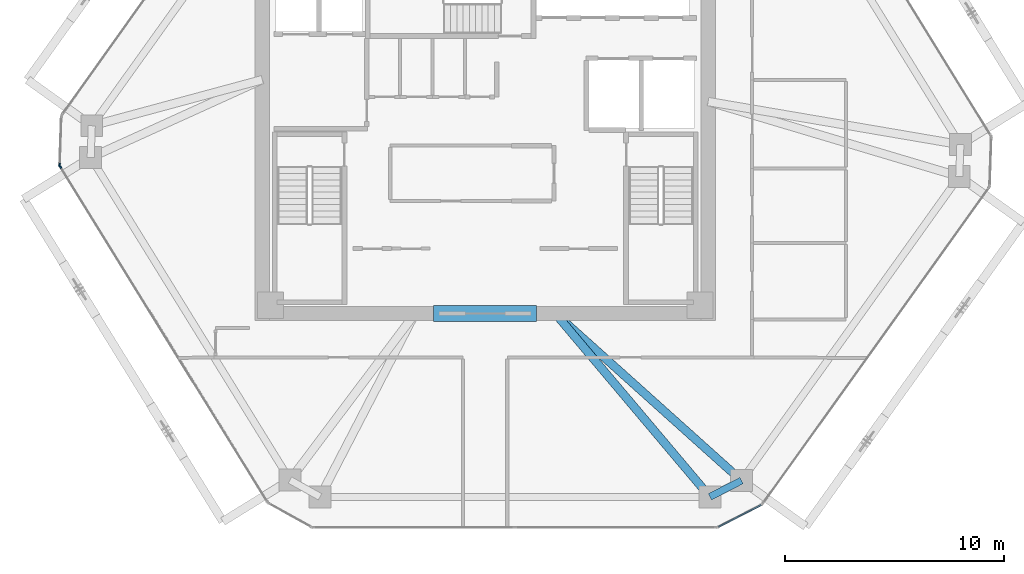
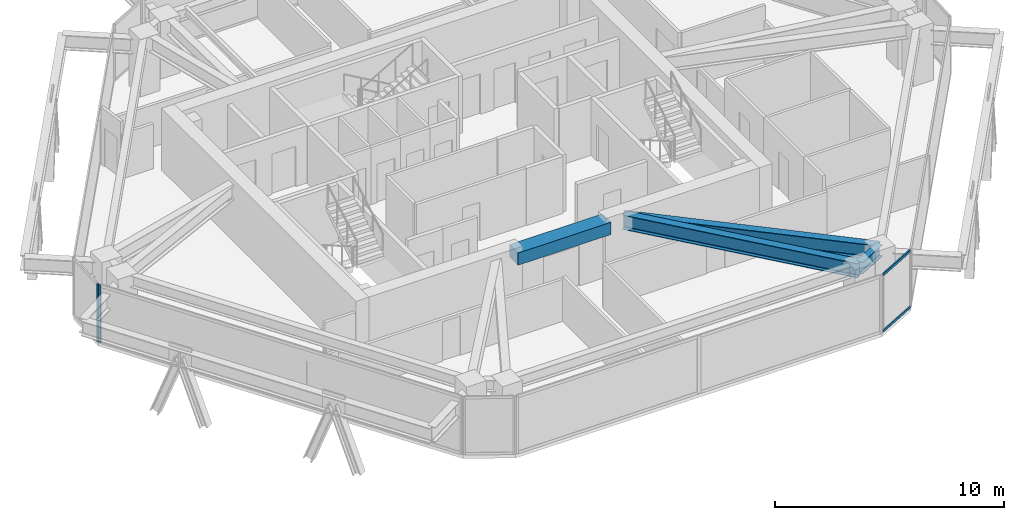
# One storey, part 3 of 13: 4 beams, 4 members, 3 elements without a shape of their own.
"""IFC4 building model written with IfcOpenShell, lengths in metres."""

from ifc_helpers import new_model, si_unit, direction, frame, origin, origin_2d, place, context, subcontext, project, spatial, rectangle, i_section, extrude, source, transform, mapped, material, layer, layer_set, material_profile, profile_set, type_object, type_shapes, element, aggregate, save


model = new_model("IFC4")

# Units and contexts
model_context = context("Model", 3, precision=1e-05, world=origin(), true_north=direction((0.0, 1.0)))
body_context = subcontext(model_context, "Body", "Model", "MODEL_VIEW")
ifc_project = project(units=[si_unit("LENGTHUNIT", "METRE"), si_unit("AREAUNIT", "SQUARE_METRE"), si_unit("VOLUMEUNIT", "CUBIC_METRE"), si_unit("PLANEANGLEUNIT", "RADIAN"), si_unit("MASSUNIT", "GRAM", prefix="KILO")], contexts=[model_context])

# Site, building, storey
site_placement = place(None, origin())
site = spatial("IfcSite", under=ifc_project, at=site_placement, CompositionType="ELEMENT")
building_placement = place(site_placement, origin())
building = spatial("IfcBuilding", under=site, at=building_placement, Name="Durnholm Broadcast Tower", CompositionType="ELEMENT")
storey_placement = place(building_placement, frame((0.0, 0.0, 167.199951171875)))
storey = spatial("IfcBuildingStorey", under=building, at=storey_placement, Name="L45", CompositionType="ELEMENT", Elevation=167.199951171875)

# Beams
ifc_material_1 = material(Name="Concrete C70/85", Category="concrete")
ifc_material_profile_1 = material_profile(ifc_material_1, rectangle(XDim=0.75, YDim=0.64990234375, at=origin_2d()), Name="RC750X650")
ifc_profile_set_1 = profile_set([ifc_material_profile_1], Name="Concrete C70/85")
beam_type_1 = type_object("IfcBeamType", Name="BM-CB-RC650", PredefinedType="LINTEL", material=ifc_profile_set_1)
shared_shape_1 = source(origin(), body_context, "Body", "SweptSolid", [
    extrude(rectangle(XDim=0.75, YDim=0.64990234375, at=origin_2d()), origin(), (0.0, 0.0, 1.0), 4.7001953125),
])
type_shapes(beam_type_1, [shared_shape_1])
beam_1_placement = place(storey_placement, frame((-2.35009765625, -8.175048828125, 2.72998046875), z_axis=(1.0, 0.0, 0.0), x_axis=(0.0, 1.0, 0.0)))
element("IfcBeam", 1, at=beam_1_placement, inside=storey, type_object=beam_type_1, Name="L45 south core coupling lintel beam CB-S", PredefinedType="LINTEL", context=body_context, shape_type="MappedRepresentation", body=[
    mapped(shared_shape_1, transform((0.0, 0.0, 0.0), x_axis=(1.0, 0.0, 0.0), y_axis=(0.0, 1.0, 0.0), z_axis=(0.0, 0.0, 1.0), scale=1.0)),
])
ifc_material_2 = material(Name="Steel ASTM A992 Grade 50", Category="steel")
ifc_material_profile_2 = material_profile(ifc_material_2, i_section(OverallWidth=0.3251953125, OverallDepth=0.6162109375, WebThickness=0.013916015625, FlangeThickness=0.021484375, FilletRadius=0.02783203125, at=origin_2d()), Name="W24X117")
ifc_profile_set_2 = profile_set([ifc_material_profile_2], Name="Steel ASTM A992 Grade 50")
beam_type_2 = type_object("IfcBeamType", Name="STL-SP-W24X117", PredefinedType="SPANDREL", material=ifc_profile_set_2)
shared_shape_2 = source(origin(), body_context, "Body", "SweptSolid", [
    extrude(i_section(OverallWidth=0.3251953125, OverallDepth=0.6162109375, WebThickness=0.013916015625, FlangeThickness=0.021484375, FilletRadius=0.02783203125, at=origin_2d()), origin(), (0.0, 0.0, 1.0), 1.62255859375),
])
type_shapes(beam_type_2, [shared_shape_2])
beam_2_placement = place(storey_placement, frame((11.69970703125, -15.80029296875, 2.737060546875), z_axis=(-0.889406668864, -0.45711680934, 0.0), x_axis=(0.45711680934, -0.889406668864, 0.0)))
element("IfcBeam", 2, at=beam_2_placement, inside=storey, type_object=beam_type_2, Name="L45 perimeter spandrel girder 10", PredefinedType="SPANDREL", context=body_context, shape_type="MappedRepresentation", body=[
    mapped(shared_shape_2, transform((0.0, 0.0, 0.0), x_axis=(1.0, 0.0, 0.0), y_axis=(0.0, 1.0, 0.0), z_axis=(0.0, 0.0, 1.0), scale=1.0)),
])
ifc_material_profile_3 = material_profile(ifc_material_2, i_section(OverallWidth=0.380615234375, OverallDepth=0.773193359375, WebThickness=0.0166015625, FlangeThickness=0.027099609375, FilletRadius=0.032958984375, at=origin_2d()), Name="W30X173")
ifc_profile_set_3 = profile_set([ifc_material_profile_3], Name="Steel ASTM A992 Grade 50")
beam_type_3 = type_object("IfcBeamType", Name="STL-GR-W30X173", PredefinedType="USERDEFINED", material=ifc_profile_set_3)
shared_shape_3 = source(origin(), body_context, "Body", "SweptSolid", [
    extrude(i_section(OverallWidth=0.380615234375, OverallDepth=0.773193359375, WebThickness=0.0166015625, FlangeThickness=0.027099609375, FilletRadius=0.032958984375, at=origin_2d()), origin(), (0.0, 0.0, 1.0), 11.4189453125),
])
beam_3_placement = place(storey_placement, frame((3.199951171875, -8.175048828125, 2.658447265625), z_axis=(0.744361631918, -0.667776729849, 0.0), x_axis=(0.667776729849, 0.744361631918, 0.0)))
element("IfcBeam", 3, at=beam_3_placement, inside=storey, type_object=beam_type_3, Name="L45 radial primary floor girder 10", ObjectType="GIRDER", PredefinedType="USERDEFINED", context=body_context, shape_type="MappedRepresentation", body=[
    mapped(shared_shape_3, transform((0.0, 0.0, 0.0), x_axis=(1.0, 0.0, 0.0), y_axis=(0.0, 1.0, 0.0), z_axis=(0.0, 0.0, 1.0), scale=1.0)),
])
shared_shape_4 = source(origin(), body_context, "Body", "SweptSolid", [
    extrude(i_section(OverallWidth=0.380615234375, OverallDepth=0.773193359375, WebThickness=0.0166015625, FlangeThickness=0.027099609375, FilletRadius=0.032958984375, at=origin_2d()), origin(), (0.0, 0.0, 1.0), 10.9453125),
])
type_shapes(beam_type_3, [shared_shape_3, shared_shape_4])
beam_4_placement = place(storey_placement, frame((3.199951171875, -8.175048828125, 2.658447265625), z_axis=(0.644712536066, -0.764425108065, 0.0), x_axis=(0.764425108065, 0.644712536066, 0.0)))
element("IfcBeam", 4, at=beam_4_placement, inside=storey, type_object=beam_type_3, Name="L45 radial primary floor girder 11", ObjectType="GIRDER", PredefinedType="USERDEFINED", context=body_context, shape_type="MappedRepresentation", body=[
    mapped(shared_shape_4, transform((0.0, 0.0, 0.0), x_axis=(1.0, 0.0, 0.0), y_axis=(0.0, 1.0, 0.0), z_axis=(0.0, 0.0, 1.0), scale=1.0)),
])

# Curtain wall, member
ifc_material_3 = material(Name="Aluminium and Solar Control IGU", Category="aluminium")
ifc_layer_1 = layer(ifc_material_3, 0.1650390625)
ifc_layer_set_1 = layer_set([ifc_layer_1], Name="Aluminium and Solar Control IGU")
curtain_wall_type_1 = type_object("IfcCurtainWallType", Name="CW-SYS-5", PredefinedType="NOTDEFINED", material=ifc_layer_set_1)
curtain_wall_1_placement = place(storey_placement, origin())
curtain_wall_1 = element("IfcCurtainWall", 5, at=curtain_wall_1_placement, inside=storey, type_object=curtain_wall_type_1, Name="L45 curtain wall CW-CORNER CW-L45-CRN-01", PredefinedType="NOTDEFINED")
ifc_material_4 = material(Name="Aluminium 6063-T6", Category="aluminium")
ifc_material_profile_4 = material_profile(ifc_material_4, rectangle(XDim=0.06494140625, YDim=0.1650390625, at=origin_2d()), Name="CWM65X165")
ifc_profile_set_4 = profile_set([ifc_material_profile_4], Name="Aluminium 6063-T6")
member_type_1 = type_object("IfcMemberType", Name="CW-SYS-5-MUL", PredefinedType="MULLION", material=ifc_profile_set_4)
shared_shape_5 = source(origin(), body_context, "Body", "SweptSolid", [
    extrude(rectangle(XDim=0.06494140625, YDim=0.1650390625, at=origin_2d()), origin(), (0.0, 0.0, 1.0), 3.06005859375),
])
type_shapes(member_type_1, [shared_shape_5])
member_1_placement = place(storey_placement, frame((-19.421630859375, -1.39990234375, 0.0), z_axis=(0.0, 0.0, 1.0), x_axis=(-0.999424798802, 0.033912704699, 0.0)))
member_1 = element("IfcMember", 6, at=member_1_placement, type_object=member_type_1, Name="CW-CORNER mullion 1", PredefinedType="MULLION", context=body_context, shape_type="MappedRepresentation", body=[
    mapped(shared_shape_5, transform((0.0, 0.0, 0.0), x_axis=(1.0, 0.0, 0.0), y_axis=(0.0, 1.0, 0.0), z_axis=(0.0, 0.0, 1.0), scale=1.0)),
])
aggregate(curtain_wall_1, [member_1])

# Curtain wall, members
curtain_wall_2_placement = place(storey_placement, origin())
curtain_wall_2 = element("IfcCurtainWall", 7, at=curtain_wall_2_placement, inside=storey, type_object=curtain_wall_type_1, Name="L45 curtain wall CW-CORNER CW-L45-CRN-09", PredefinedType="NOTDEFINED")
ifc_material_profile_5 = material_profile(ifc_material_4, rectangle(XDim=0.06494140625, YDim=0.1298828125, at=origin_2d()), Name="CWT65X130")
ifc_profile_set_5 = profile_set([ifc_material_profile_5], Name="Aluminium 6063-T6")
member_type_2 = type_object("IfcMemberType", Name="CW-SYS-5-TRN", PredefinedType="USERDEFINED", material=ifc_profile_set_5)
shared_shape_6 = source(origin(), body_context, "Body", "SweptSolid", [
    extrude(rectangle(XDim=0.06494140625, YDim=0.1298828125, at=origin_2d()), origin(), (0.0, 0.0, 1.0), 2.170166015625),
])
type_shapes(member_type_2, [shared_shape_6])
member_2_placement = place(storey_placement, frame((12.583251953125, -16.92041015625, 0.032470703125), z_axis=(-0.889422414772, -0.457086171417, 0.0), x_axis=(0.457086171417, -0.889422414772, 0.0)))
member_2 = element("IfcMember", 8, at=member_2_placement, type_object=member_type_2, Name="CW-CORNER transom 1.1", ObjectType="TRANSOM", PredefinedType="USERDEFINED", context=body_context, shape_type="MappedRepresentation", body=[
    mapped(shared_shape_6, transform((0.0, 0.0, 0.0), x_axis=(1.0, 0.0, 0.0), y_axis=(0.0, 1.0, 0.0), z_axis=(0.0, 0.0, 1.0), scale=1.0)),
])
member_3_placement = place(storey_placement, frame((12.583251953125, -16.92041015625, 3.027587890625), z_axis=(-0.889422414772, -0.457086171417, 0.0), x_axis=(0.457086171417, -0.889422414772, 0.0)))
member_3 = element("IfcMember", 9, at=member_3_placement, type_object=member_type_2, Name="CW-CORNER transom 1.2", ObjectType="TRANSOM", PredefinedType="USERDEFINED", context=body_context, shape_type="MappedRepresentation", body=[
    mapped(shared_shape_6, transform((0.0, 0.0, 0.0), x_axis=(1.0, 0.0, 0.0), y_axis=(0.0, 1.0, 0.0), z_axis=(0.0, 0.0, 1.0), scale=1.0)),
])
aggregate(curtain_wall_2, [member_2, member_3])

# Curtain wall, member
ifc_layer_2 = layer(ifc_material_3, 0.18994140625)
ifc_layer_set_2 = layer_set([ifc_layer_2], Name="Aluminium and Solar Control IGU")
curtain_wall_type_2 = type_object("IfcCurtainWallType", Name="CW-SYS-4", PredefinedType="NOTDEFINED", material=ifc_layer_set_2)
curtain_wall_3_placement = place(storey_placement, origin())
curtain_wall_3 = element("IfcCurtainWall", 10, at=curtain_wall_3_placement, inside=storey, type_object=curtain_wall_type_2, Name="L45 curtain wall CW-Z34-VIS CW-L45-F12", PredefinedType="NOTDEFINED")
ifc_material_profile_6 = material_profile(ifc_material_4, rectangle(XDim=0.070068359375, YDim=0.18994140625, at=origin_2d()), Name="CWM70X190")
ifc_profile_set_6 = profile_set([ifc_material_profile_6], Name="Aluminium 6063-T6")
member_type_3 = type_object("IfcMemberType", Name="CW-SYS-4-MUL", PredefinedType="MULLION", material=ifc_profile_set_6)
shared_shape_7 = source(origin(), body_context, "Body", "SweptSolid", [
    extrude(rectangle(XDim=0.070068359375, YDim=0.18994140625, at=origin_2d()), origin(), (0.0, 0.0, 1.0), 3.06005859375),
])
type_shapes(member_type_3, [shared_shape_7])
member_4_placement = place(storey_placement, frame((-19.404296875, -1.462158203125, 0.0), z_axis=(0.0, 0.0, 1.0), x_axis=(-0.850671426092, -0.525697750452, 0.0)))
member_4 = element("IfcMember", 11, at=member_4_placement, type_object=member_type_3, Name="CW-Z34-VIS mullion 2", PredefinedType="MULLION", context=body_context, shape_type="MappedRepresentation", body=[
    mapped(shared_shape_7, transform((0.0, 0.0, 0.0), x_axis=(1.0, 0.0, 0.0), y_axis=(0.0, 1.0, 0.0), z_axis=(0.0, 0.0, 1.0), scale=1.0)),
])
aggregate(curtain_wall_3, [member_4])

save(model, "model.ifc")
